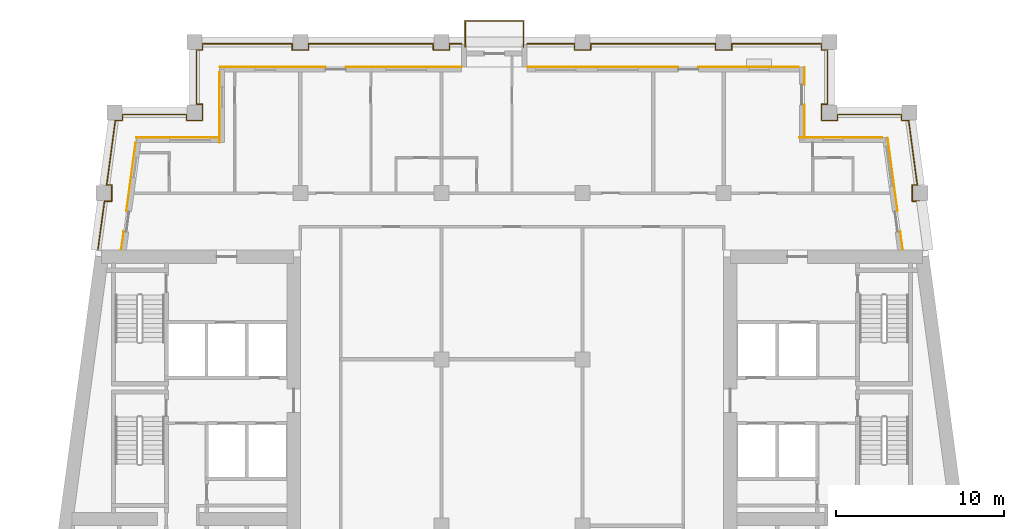
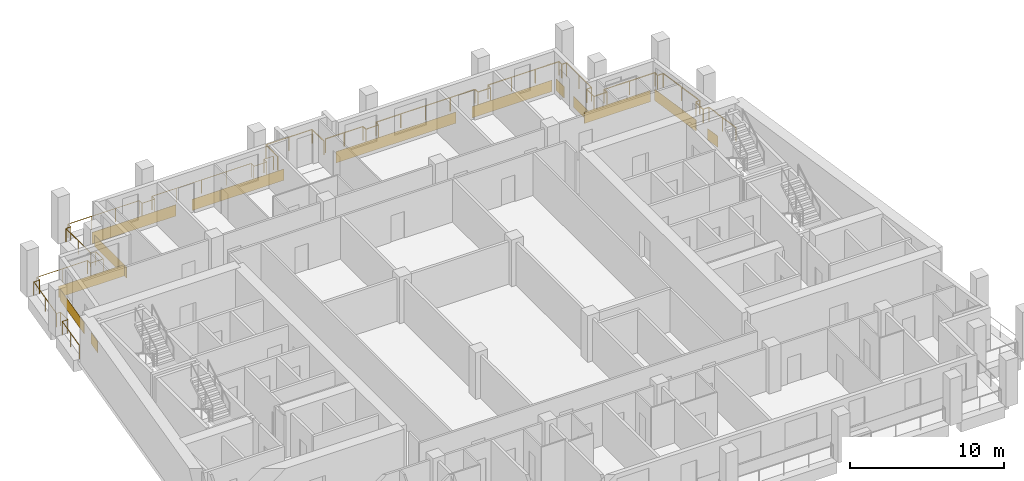
# One storey, part 12 of 13: 14 coverings, 3 railings.
"""IFC4 building model written with IfcOpenShell, lengths in metres."""

from ifc_helpers import new_model, si_unit, direction, frame, origin, origin_2d, place, context, subcontext, project, spatial, rectangle, circle, extrude, material, layer, layer_set, type_object, element, save


model = new_model("IFC4")

# Units and contexts
model_context = context("Model", 3, precision=1e-05, world=origin(), true_north=direction((0.0, 1.0)))
body_context = subcontext(model_context, "Body", "Model", "MODEL_VIEW")
ifc_project = project(units=[si_unit("LENGTHUNIT", "METRE"), si_unit("AREAUNIT", "SQUARE_METRE"), si_unit("VOLUMEUNIT", "CUBIC_METRE"), si_unit("PLANEANGLEUNIT", "RADIAN"), si_unit("MASSUNIT", "GRAM", prefix="KILO")], contexts=[model_context])

# Site, building, storey
site_placement = place(None, origin())
site = spatial("IfcSite", under=ifc_project, at=site_placement, CompositionType="ELEMENT")
building_placement = place(site_placement, origin())
building = spatial("IfcBuilding", under=site, at=building_placement, Name="Candeia Pilgrim Tower and Theatre", CompositionType="ELEMENT")
storey_placement = place(building_placement, frame((0.0, 0.0, 239.199951171875)))
storey = spatial("IfcBuildingStorey", under=building, at=storey_placement, Name="L58", CompositionType="ELEMENT", Elevation=239.199951171875)

# Railings
ifc_material_1 = material(Name="Stainless steel balustrade", Category="steel")
railing_type = type_object("IfcRailingType", Name="G1 loggia guard 1100", PredefinedType="GUARDRAIL", material=ifc_material_1)
railing_1_placement = place(storey_placement, frame((88.758544921875, 132.449951171875, 0.0)))
element("IfcRailing", 1, at=railing_1_placement, inside=storey, type_object=railing_type, Name="Guard L58.2", PredefinedType="GUARDRAIL", context=body_context, shape_type="SweptSolid", body=[
    extrude(circle(Radius=0.02392578125, at=origin_2d()), frame((0.0, 0.0, 1.076171875), z_axis=(0.133450228179, 0.991055516406, 0.0), x_axis=(-0.991055516406, 0.133450228179, 0.0)), (0.0, 0.0, 1.0), 2.89599609375),
    extrude(circle(Radius=0.02392578125, at=origin_2d()), frame((0.386474609375, 2.8701171875, 1.076171875), z_axis=(1.0, 0.0, 0.0), x_axis=(0.0, 1.0, 0.0)), (0.0, 0.0, 1.0), 0.42333984375),
    extrude(circle(Radius=0.02392578125, at=origin_2d()), frame((0.809814453125, 2.8701171875, 1.076171875), z_axis=(0.0, 1.0, 0.0), x_axis=(-1.0, 0.0, 0.0)), (0.0, 0.0, 1.0), 0.9599609375),
    extrude(circle(Radius=0.02392578125, at=origin_2d()), frame((0.809814453125, 3.830078125, 1.076171875), z_axis=(-1.0, 0.0, 0.0), x_axis=(0.0, -1.0, 0.0)), (0.0, 0.0, 1.0), 0.294189453125),
    extrude(circle(Radius=0.02392578125, at=origin_2d()), frame((0.515625, 3.830078125, 1.076171875), z_axis=(0.133389399471, 0.991063705374, 0.0), x_axis=(-0.991063705374, 0.133389399471, 0.0)), (0.0, 0.0, 1.0), 3.874755859375),
    extrude(circle(Radius=0.02392578125, at=origin_2d()), frame((1.032470703125, 7.670166015625, 1.076171875), z_axis=(1.0, 0.0, 0.0), x_axis=(0.0, 1.0, 0.0)), (0.0, 0.0, 1.0), 0.423583984375),
    extrude(circle(Radius=0.02392578125, at=origin_2d()), frame((1.4560546875, 7.670166015625, 1.076171875), z_axis=(0.0, 1.0, 0.0), x_axis=(-1.0, 0.0, 0.0)), (0.0, 0.0, 1.0), 0.35986328125),
    extrude(circle(Radius=0.02392578125, at=origin_2d()), frame((1.4560546875, 8.030029296875, 1.076171875), z_axis=(1.0, 0.0, 0.0), x_axis=(0.0, 1.0, 0.0)), (0.0, 0.0, 1.0), 3.805419921875),
    extrude(circle(Radius=0.02392578125, at=origin_2d()), frame((5.261474609375, 8.030029296875, 1.076171875), z_axis=(0.0, -1.0, 0.0), x_axis=(1.0, 0.0, 0.0)), (0.0, 0.0, 1.0), 0.35986328125),
    extrude(circle(Radius=0.02392578125, at=origin_2d()), frame((5.261474609375, 7.670166015625, 1.076171875), z_axis=(1.0, 0.0, 0.0), x_axis=(0.0, 1.0, 0.0)), (0.0, 0.0, 1.0), 0.9599609375),
    extrude(circle(Radius=0.02392578125, at=origin_2d()), frame((6.221435546875, 7.670166015625, 1.076171875), z_axis=(0.0, 1.0, 0.0), x_axis=(-1.0, 0.0, 0.0)), (0.0, 0.0, 1.0), 0.9599609375),
    extrude(circle(Radius=0.02392578125, at=origin_2d()), frame((6.221435546875, 8.630126953125, 1.076171875), z_axis=(-1.0, 0.0, 0.0), x_axis=(0.0, -1.0, 0.0)), (0.0, 0.0, 1.0), 0.35986328125),
    extrude(circle(Radius=0.02392578125, at=origin_2d()), frame((5.861572265625, 8.630126953125, 1.076171875), z_axis=(0.0, 1.0, 0.0), x_axis=(-1.0, 0.0, 0.0)), (0.0, 0.0, 1.0), 3.239990234375),
    extrude(circle(Radius=0.02392578125, at=origin_2d()), frame((5.861572265625, 11.8701171875, 1.076171875), z_axis=(1.0, 0.0, 0.0), x_axis=(0.0, 1.0, 0.0)), (0.0, 0.0, 1.0), 0.35986328125),
    extrude(circle(Radius=0.02392578125, at=origin_2d()), frame((6.221435546875, 11.8701171875, 1.076171875), z_axis=(0.0, 1.0, 0.0), x_axis=(-1.0, 0.0, 0.0)), (0.0, 0.0, 1.0), 0.35986328125),
    extrude(circle(Radius=0.02392578125, at=origin_2d()), frame((6.221435546875, 12.22998046875, 1.076171875), z_axis=(1.0, 0.0, 0.0), x_axis=(0.0, 1.0, 0.0)), (0.0, 0.0, 1.0), 5.340087890625),
    extrude(circle(Radius=0.02392578125, at=origin_2d()), frame((11.5615234375, 12.22998046875, 1.076171875), z_axis=(0.0, -1.0, 0.0), x_axis=(1.0, 0.0, 0.0)), (0.0, 0.0, 1.0), 0.35986328125),
    extrude(circle(Radius=0.02392578125, at=origin_2d()), frame((11.5615234375, 11.8701171875, 1.076171875), z_axis=(1.0, 0.0, 0.0), x_axis=(0.0, 1.0, 0.0)), (0.0, 0.0, 1.0), 0.9599609375),
    extrude(circle(Radius=0.02392578125, at=origin_2d()), frame((12.521484375, 11.8701171875, 1.076171875), z_axis=(0.0, 1.0, 0.0), x_axis=(-1.0, 0.0, 0.0)), (0.0, 0.0, 1.0), 0.35986328125),
    extrude(circle(Radius=0.02392578125, at=origin_2d()), frame((12.521484375, 12.22998046875, 1.076171875), z_axis=(1.0, 0.0, 0.0), x_axis=(0.0, 1.0, 0.0)), (0.0, 0.0, 1.0), 7.43994140625),
    extrude(circle(Radius=0.02392578125, at=origin_2d()), frame((19.96142578125, 12.22998046875, 1.076171875), z_axis=(0.0, -1.0, 0.0), x_axis=(1.0, 0.0, 0.0)), (0.0, 0.0, 1.0), 0.35986328125),
    extrude(circle(Radius=0.02392578125, at=origin_2d()), frame((19.96142578125, 11.8701171875, 1.076171875), z_axis=(1.0, 0.0, 0.0), x_axis=(0.0, 1.0, 0.0)), (0.0, 0.0, 1.0), 0.9599609375),
    extrude(circle(Radius=0.02392578125, at=origin_2d()), frame((20.92138671875, 11.8701171875, 1.076171875), z_axis=(0.0, 1.0, 0.0), x_axis=(-1.0, 0.0, 0.0)), (0.0, 0.0, 1.0), 0.35986328125),
    extrude(circle(Radius=0.02392578125, at=origin_2d()), frame((20.92138671875, 12.22998046875, 1.076171875), z_axis=(1.0, 0.0, 0.0), x_axis=(0.0, 1.0, 0.0)), (0.0, 0.0, 1.0), 0.719970703125),
    extrude(circle(Radius=0.02099609375, at=origin_2d()), origin(), (0.0, 0.0, 1.0), 1.052001953125),
    extrude(circle(Radius=0.02099609375, at=origin_2d()), frame((0.193359375, 1.43505859375, 0.0)), (0.0, 0.0, 1.0), 1.052001953125),
    extrude(circle(Radius=0.02099609375, at=origin_2d()), frame((0.386474609375, 2.8701171875, 0.0)), (0.0, 0.0, 1.0), 1.052001953125),
    extrude(circle(Radius=0.02099609375, at=origin_2d()), frame((0.809814453125, 2.8701171875, 0.0)), (0.0, 0.0, 1.0), 1.052001953125),
    extrude(circle(Radius=0.02099609375, at=origin_2d()), frame((0.809814453125, 3.830078125, 0.0)), (0.0, 0.0, 1.0), 1.052001953125),
    extrude(circle(Radius=0.02099609375, at=origin_2d()), frame((0.515625, 3.830078125, 0.0)), (0.0, 0.0, 1.0), 1.052001953125),
    extrude(circle(Radius=0.02099609375, at=origin_2d()), frame((0.77392578125, 5.75, 0.0)), (0.0, 0.0, 1.0), 1.052001953125),
    extrude(circle(Radius=0.02099609375, at=origin_2d()), frame((1.032470703125, 7.670166015625, 0.0)), (0.0, 0.0, 1.0), 1.052001953125),
    extrude(circle(Radius=0.02099609375, at=origin_2d()), frame((1.4560546875, 7.670166015625, 0.0)), (0.0, 0.0, 1.0), 1.052001953125),
    extrude(circle(Radius=0.02099609375, at=origin_2d()), frame((1.4560546875, 8.030029296875, 0.0)), (0.0, 0.0, 1.0), 1.052001953125),
    extrude(circle(Radius=0.02099609375, at=origin_2d()), frame((3.35888671875, 8.030029296875, 0.0)), (0.0, 0.0, 1.0), 1.052001953125),
    extrude(circle(Radius=0.02099609375, at=origin_2d()), frame((5.261474609375, 8.030029296875, 0.0)), (0.0, 0.0, 1.0), 1.052001953125),
    extrude(circle(Radius=0.02099609375, at=origin_2d()), frame((5.261474609375, 7.670166015625, 0.0)), (0.0, 0.0, 1.0), 1.052001953125),
    extrude(circle(Radius=0.02099609375, at=origin_2d()), frame((6.221435546875, 7.670166015625, 0.0)), (0.0, 0.0, 1.0), 1.052001953125),
    extrude(circle(Radius=0.02099609375, at=origin_2d()), frame((6.221435546875, 8.630126953125, 0.0)), (0.0, 0.0, 1.0), 1.052001953125),
    extrude(circle(Radius=0.02099609375, at=origin_2d()), frame((5.861572265625, 8.630126953125, 0.0)), (0.0, 0.0, 1.0), 1.052001953125),
    extrude(circle(Radius=0.02099609375, at=origin_2d()), frame((5.861572265625, 10.25, 0.0)), (0.0, 0.0, 1.0), 1.052001953125),
    extrude(circle(Radius=0.02099609375, at=origin_2d()), frame((5.861572265625, 11.8701171875, 0.0)), (0.0, 0.0, 1.0), 1.052001953125),
    extrude(circle(Radius=0.02099609375, at=origin_2d()), frame((6.221435546875, 11.8701171875, 0.0)), (0.0, 0.0, 1.0), 1.052001953125),
    extrude(circle(Radius=0.02099609375, at=origin_2d()), frame((6.221435546875, 12.22998046875, 0.0)), (0.0, 0.0, 1.0), 1.052001953125),
    extrude(circle(Radius=0.02099609375, at=origin_2d()), frame((8.00146484375, 12.22998046875, 0.0)), (0.0, 0.0, 1.0), 1.052001953125),
    extrude(circle(Radius=0.02099609375, at=origin_2d()), frame((9.781494140625, 12.22998046875, 0.0)), (0.0, 0.0, 1.0), 1.052001953125),
    extrude(circle(Radius=0.02099609375, at=origin_2d()), frame((11.5615234375, 12.22998046875, 0.0)), (0.0, 0.0, 1.0), 1.052001953125),
    extrude(circle(Radius=0.02099609375, at=origin_2d()), frame((11.5615234375, 11.8701171875, 0.0)), (0.0, 0.0, 1.0), 1.052001953125),
    extrude(circle(Radius=0.02099609375, at=origin_2d()), frame((12.521484375, 11.8701171875, 0.0)), (0.0, 0.0, 1.0), 1.052001953125),
    extrude(circle(Radius=0.02099609375, at=origin_2d()), frame((12.521484375, 12.22998046875, 0.0)), (0.0, 0.0, 1.0), 1.052001953125),
    extrude(circle(Radius=0.02099609375, at=origin_2d()), frame((14.38134765625, 12.22998046875, 0.0)), (0.0, 0.0, 1.0), 1.052001953125),
    extrude(circle(Radius=0.02099609375, at=origin_2d()), frame((16.241455078125, 12.22998046875, 0.0)), (0.0, 0.0, 1.0), 1.052001953125),
    extrude(circle(Radius=0.02099609375, at=origin_2d()), frame((18.1015625, 12.22998046875, 0.0)), (0.0, 0.0, 1.0), 1.052001953125),
    extrude(circle(Radius=0.02099609375, at=origin_2d()), frame((19.96142578125, 12.22998046875, 0.0)), (0.0, 0.0, 1.0), 1.052001953125),
    extrude(circle(Radius=0.02099609375, at=origin_2d()), frame((19.96142578125, 11.8701171875, 0.0)), (0.0, 0.0, 1.0), 1.052001953125),
    extrude(circle(Radius=0.02099609375, at=origin_2d()), frame((20.92138671875, 11.8701171875, 0.0)), (0.0, 0.0, 1.0), 1.052001953125),
    extrude(circle(Radius=0.02099609375, at=origin_2d()), frame((20.92138671875, 12.22998046875, 0.0)), (0.0, 0.0, 1.0), 1.052001953125),
    extrude(circle(Radius=0.02099609375, at=origin_2d()), frame((21.641357421875, 12.22998046875, 0.0)), (0.0, 0.0, 1.0), 1.052001953125),
])
railing_2_placement = place(storey_placement, frame((114.300048828125, 144.679931640625, 0.0)))
element("IfcRailing", 2, at=railing_2_placement, inside=storey, type_object=railing_type, Name="Guard L58.3", PredefinedType="GUARDRAIL", context=body_context, shape_type="SweptSolid", body=[
    extrude(circle(Radius=0.02392578125, at=origin_2d()), frame((0.0, 0.0, 1.076171875), z_axis=(1.0, 0.0, 0.0), x_axis=(0.0, 1.0, 0.0)), (0.0, 0.0, 1.0), 2.820068359375),
    extrude(circle(Radius=0.02392578125, at=origin_2d()), frame((2.820068359375, 0.0, 1.076171875), z_axis=(0.0, -1.0, 0.0), x_axis=(1.0, 0.0, 0.0)), (0.0, 0.0, 1.0), 0.35986328125),
    extrude(circle(Radius=0.02392578125, at=origin_2d()), frame((2.820068359375, -0.35986328125, 1.076171875), z_axis=(1.0, 0.0, 0.0), x_axis=(0.0, 1.0, 0.0)), (0.0, 0.0, 1.0), 0.9599609375),
    extrude(circle(Radius=0.02392578125, at=origin_2d()), frame((3.780029296875, -0.35986328125, 1.076171875), z_axis=(0.0, 1.0, 0.0), x_axis=(-1.0, 0.0, 0.0)), (0.0, 0.0, 1.0), 0.35986328125),
    extrude(circle(Radius=0.02392578125, at=origin_2d()), frame((3.780029296875, 0.0, 1.076171875), z_axis=(1.0, 0.0, 0.0), x_axis=(0.0, 1.0, 0.0)), (0.0, 0.0, 1.0), 7.43994140625),
    extrude(circle(Radius=0.02392578125, at=origin_2d()), frame((11.219970703125, 0.0, 1.076171875), z_axis=(0.0, -1.0, 0.0), x_axis=(1.0, 0.0, 0.0)), (0.0, 0.0, 1.0), 0.35986328125),
    extrude(circle(Radius=0.02392578125, at=origin_2d()), frame((11.219970703125, -0.35986328125, 1.076171875), z_axis=(1.0, 0.0, 0.0), x_axis=(0.0, 1.0, 0.0)), (0.0, 0.0, 1.0), 0.9599609375),
    extrude(circle(Radius=0.02392578125, at=origin_2d()), frame((12.179931640625, -0.35986328125, 1.076171875), z_axis=(0.0, 1.0, 0.0), x_axis=(-1.0, 0.0, 0.0)), (0.0, 0.0, 1.0), 0.35986328125),
    extrude(circle(Radius=0.02392578125, at=origin_2d()), frame((12.179931640625, 0.0, 1.076171875), z_axis=(1.0, 0.0, 0.0), x_axis=(0.0, 1.0, 0.0)), (0.0, 0.0, 1.0), 5.340087890625),
    extrude(circle(Radius=0.02392578125, at=origin_2d()), frame((17.52001953125, 0.0, 1.076171875), z_axis=(0.0, -1.0, 0.0), x_axis=(1.0, 0.0, 0.0)), (0.0, 0.0, 1.0), 0.35986328125),
    extrude(circle(Radius=0.02392578125, at=origin_2d()), frame((17.52001953125, -0.35986328125, 1.076171875), z_axis=(1.0, 0.0, 0.0), x_axis=(0.0, 1.0, 0.0)), (0.0, 0.0, 1.0), 0.35986328125),
    extrude(circle(Radius=0.02392578125, at=origin_2d()), frame((17.8798828125, -0.35986328125, 1.076171875), z_axis=(0.0, -1.0, 0.0), x_axis=(1.0, 0.0, 0.0)), (0.0, 0.0, 1.0), 3.239990234375),
    extrude(circle(Radius=0.02392578125, at=origin_2d()), frame((17.8798828125, -3.599853515625, 1.076171875), z_axis=(-1.0, 0.0, 0.0), x_axis=(0.0, -1.0, 0.0)), (0.0, 0.0, 1.0), 0.35986328125),
    extrude(circle(Radius=0.02392578125, at=origin_2d()), frame((17.52001953125, -3.599853515625, 1.076171875), z_axis=(0.0, -1.0, 0.0), x_axis=(1.0, 0.0, 0.0)), (0.0, 0.0, 1.0), 0.9599609375),
    extrude(circle(Radius=0.02392578125, at=origin_2d()), frame((17.52001953125, -4.559814453125, 1.076171875), z_axis=(1.0, 0.0, 0.0), x_axis=(0.0, 1.0, 0.0)), (0.0, 0.0, 1.0), 0.9599609375),
    extrude(circle(Radius=0.02392578125, at=origin_2d()), frame((18.47998046875, -4.559814453125, 1.076171875), z_axis=(0.0, 1.0, 0.0), x_axis=(-1.0, 0.0, 0.0)), (0.0, 0.0, 1.0), 0.35986328125),
    extrude(circle(Radius=0.02392578125, at=origin_2d()), frame((18.47998046875, -4.199951171875, 1.076171875), z_axis=(1.0, 0.0, 0.0), x_axis=(0.0, 1.0, 0.0)), (0.0, 0.0, 1.0), 3.805419921875),
    extrude(circle(Radius=0.02392578125, at=origin_2d()), frame((22.285400390625, -4.199951171875, 1.076171875), z_axis=(0.0, -1.0, 0.0), x_axis=(1.0, 0.0, 0.0)), (0.0, 0.0, 1.0), 0.35986328125),
    extrude(circle(Radius=0.02392578125, at=origin_2d()), frame((22.285400390625, -4.559814453125, 1.076171875), z_axis=(1.0, 0.0, 0.0), x_axis=(0.0, 1.0, 0.0)), (0.0, 0.0, 1.0), 0.423583984375),
    extrude(circle(Radius=0.02392578125, at=origin_2d()), frame((22.708984375, -4.559814453125, 1.076171875), z_axis=(0.133389399471, -0.991063705374, 0.0), x_axis=(0.991063705374, 0.133389399471, 0.0)), (0.0, 0.0, 1.0), 3.874755859375),
    extrude(circle(Radius=0.02392578125, at=origin_2d()), frame((23.225830078125, -8.39990234375, 1.076171875), z_axis=(-1.0, 0.0, 0.0), x_axis=(0.0, -1.0, 0.0)), (0.0, 0.0, 1.0), 0.29443359375),
    extrude(circle(Radius=0.02392578125, at=origin_2d()), frame((22.931396484375, -8.39990234375, 1.076171875), z_axis=(0.0, -1.0, 0.0), x_axis=(1.0, 0.0, 0.0)), (0.0, 0.0, 1.0), 0.9599609375),
    extrude(circle(Radius=0.02392578125, at=origin_2d()), frame((22.931396484375, -9.35986328125, 1.076171875), z_axis=(1.0, 0.0, 0.0), x_axis=(0.0, 1.0, 0.0)), (0.0, 0.0, 1.0), 0.423583984375),
    extrude(circle(Radius=0.02392578125, at=origin_2d()), frame((23.35498046875, -9.35986328125, 1.076171875), z_axis=(0.133450228179, -0.991055516406, 0.0), x_axis=(0.991055516406, 0.133450228179, 0.0)), (0.0, 0.0, 1.0), 2.89599609375),
    extrude(circle(Radius=0.02099609375, at=origin_2d()), origin(), (0.0, 0.0, 1.0), 1.052001953125),
    extrude(circle(Radius=0.02099609375, at=origin_2d()), frame((1.41015625, 0.0, 0.0)), (0.0, 0.0, 1.0), 1.052001953125),
    extrude(circle(Radius=0.02099609375, at=origin_2d()), frame((2.820068359375, 0.0, 0.0)), (0.0, 0.0, 1.0), 1.052001953125),
    extrude(circle(Radius=0.02099609375, at=origin_2d()), frame((2.820068359375, -0.35986328125, 0.0)), (0.0, 0.0, 1.0), 1.052001953125),
    extrude(circle(Radius=0.02099609375, at=origin_2d()), frame((3.780029296875, -0.35986328125, 0.0)), (0.0, 0.0, 1.0), 1.052001953125),
    extrude(circle(Radius=0.02099609375, at=origin_2d()), frame((3.780029296875, 0.0, 0.0)), (0.0, 0.0, 1.0), 1.052001953125),
    extrude(circle(Radius=0.02099609375, at=origin_2d()), frame((5.64013671875, 0.0, 0.0)), (0.0, 0.0, 1.0), 1.052001953125),
    extrude(circle(Radius=0.02099609375, at=origin_2d()), frame((7.5, 0.0, 0.0)), (0.0, 0.0, 1.0), 1.052001953125),
    extrude(circle(Radius=0.02099609375, at=origin_2d()), frame((9.35986328125, 0.0, 0.0)), (0.0, 0.0, 1.0), 1.052001953125),
    extrude(circle(Radius=0.02099609375, at=origin_2d()), frame((11.219970703125, 0.0, 0.0)), (0.0, 0.0, 1.0), 1.052001953125),
    extrude(circle(Radius=0.02099609375, at=origin_2d()), frame((11.219970703125, -0.35986328125, 0.0)), (0.0, 0.0, 1.0), 1.052001953125),
    extrude(circle(Radius=0.02099609375, at=origin_2d()), frame((12.179931640625, -0.35986328125, 0.0)), (0.0, 0.0, 1.0), 1.052001953125),
    extrude(circle(Radius=0.02099609375, at=origin_2d()), frame((12.179931640625, 0.0, 0.0)), (0.0, 0.0, 1.0), 1.052001953125),
    extrude(circle(Radius=0.02099609375, at=origin_2d()), frame((13.9599609375, 0.0, 0.0)), (0.0, 0.0, 1.0), 1.052001953125),
    extrude(circle(Radius=0.02099609375, at=origin_2d()), frame((15.739990234375, 0.0, 0.0)), (0.0, 0.0, 1.0), 1.052001953125),
    extrude(circle(Radius=0.02099609375, at=origin_2d()), frame((17.52001953125, 0.0, 0.0)), (0.0, 0.0, 1.0), 1.052001953125),
    extrude(circle(Radius=0.02099609375, at=origin_2d()), frame((17.52001953125, -0.35986328125, 0.0)), (0.0, 0.0, 1.0), 1.052001953125),
    extrude(circle(Radius=0.02099609375, at=origin_2d()), frame((17.8798828125, -0.35986328125, 0.0)), (0.0, 0.0, 1.0), 1.052001953125),
    extrude(circle(Radius=0.02099609375, at=origin_2d()), frame((17.8798828125, -1.97998046875, 0.0)), (0.0, 0.0, 1.0), 1.052001953125),
    extrude(circle(Radius=0.02099609375, at=origin_2d()), frame((17.8798828125, -3.599853515625, 0.0)), (0.0, 0.0, 1.0), 1.052001953125),
    extrude(circle(Radius=0.02099609375, at=origin_2d()), frame((17.52001953125, -3.599853515625, 0.0)), (0.0, 0.0, 1.0), 1.052001953125),
    extrude(circle(Radius=0.02099609375, at=origin_2d()), frame((17.52001953125, -4.559814453125, 0.0)), (0.0, 0.0, 1.0), 1.052001953125),
    extrude(circle(Radius=0.02099609375, at=origin_2d()), frame((18.47998046875, -4.559814453125, 0.0)), (0.0, 0.0, 1.0), 1.052001953125),
    extrude(circle(Radius=0.02099609375, at=origin_2d()), frame((18.47998046875, -4.199951171875, 0.0)), (0.0, 0.0, 1.0), 1.052001953125),
    extrude(circle(Radius=0.02099609375, at=origin_2d()), frame((20.3828125, -4.199951171875, 0.0)), (0.0, 0.0, 1.0), 1.052001953125),
    extrude(circle(Radius=0.02099609375, at=origin_2d()), frame((22.285400390625, -4.199951171875, 0.0)), (0.0, 0.0, 1.0), 1.052001953125),
    extrude(circle(Radius=0.02099609375, at=origin_2d()), frame((22.285400390625, -4.559814453125, 0.0)), (0.0, 0.0, 1.0), 1.052001953125),
    extrude(circle(Radius=0.02099609375, at=origin_2d()), frame((22.708984375, -4.559814453125, 0.0)), (0.0, 0.0, 1.0), 1.052001953125),
    extrude(circle(Radius=0.02099609375, at=origin_2d()), frame((22.96728515625, -6.47998046875, 0.0)), (0.0, 0.0, 1.0), 1.052001953125),
    extrude(circle(Radius=0.02099609375, at=origin_2d()), frame((23.225830078125, -8.39990234375, 0.0)), (0.0, 0.0, 1.0), 1.052001953125),
    extrude(circle(Radius=0.02099609375, at=origin_2d()), frame((22.931396484375, -8.39990234375, 0.0)), (0.0, 0.0, 1.0), 1.052001953125),
    extrude(circle(Radius=0.02099609375, at=origin_2d()), frame((22.931396484375, -9.35986328125, 0.0)), (0.0, 0.0, 1.0), 1.052001953125),
    extrude(circle(Radius=0.02099609375, at=origin_2d()), frame((23.35498046875, -9.35986328125, 0.0)), (0.0, 0.0, 1.0), 1.052001953125),
    extrude(circle(Radius=0.02099609375, at=origin_2d()), frame((23.54833984375, -10.794921875, 0.0)), (0.0, 0.0, 1.0), 1.052001953125),
    extrude(circle(Radius=0.02099609375, at=origin_2d()), frame((23.741455078125, -12.22998046875, 0.0)), (0.0, 0.0, 1.0), 1.052001953125),
])
railing_3_placement = place(storey_placement, frame((110.610107421875, 144.5, 0.0)))
element("IfcRailing", 3, at=railing_3_placement, inside=storey, type_object=railing_type, Name="Balcony guard L58", PredefinedType="GUARDRAIL", context=body_context, shape_type="SweptSolid", body=[
    extrude(circle(Radius=0.02392578125, at=origin_2d()), frame((0.0, 0.0, 1.076171875), z_axis=(0.0, 1.0, 0.0), x_axis=(-1.0, 0.0, 0.0)), (0.0, 0.0, 1.0), 1.5400390625),
    extrude(circle(Radius=0.02392578125, at=origin_2d()), frame((0.0, 1.5400390625, 1.076171875), z_axis=(1.0, 0.0, 0.0), x_axis=(0.0, 1.0, 0.0)), (0.0, 0.0, 1.0), 3.47998046875),
    extrude(circle(Radius=0.02392578125, at=origin_2d()), frame((3.47998046875, 1.5400390625, 1.076171875), z_axis=(0.0, -1.0, 0.0), x_axis=(1.0, 0.0, 0.0)), (0.0, 0.0, 1.0), 1.5400390625),
    extrude(circle(Radius=0.02099609375, at=origin_2d()), origin(), (0.0, 0.0, 1.0), 1.052001953125),
    extrude(circle(Radius=0.02099609375, at=origin_2d()), frame((0.0, 1.5400390625, 0.0)), (0.0, 0.0, 1.0), 1.052001953125),
    extrude(circle(Radius=0.02099609375, at=origin_2d()), frame((1.739990234375, 1.5400390625, 0.0)), (0.0, 0.0, 1.0), 1.052001953125),
    extrude(circle(Radius=0.02099609375, at=origin_2d()), frame((3.47998046875, 1.5400390625, 0.0)), (0.0, 0.0, 1.0), 1.052001953125),
    extrude(circle(Radius=0.02099609375, at=origin_2d()), frame((3.47998046875, 0.0, 0.0)), (0.0, 0.0, 1.0), 1.052001953125),
])

# Coverings
ifc_material_2 = material(Name="Glazed ceramic tile bottle green")
ifc_layer_1 = layer(ifc_material_2, 0.02001953125)
ifc_layer_set_1 = layer_set([ifc_layer_1], Name="Glazed ceramic tile bottle green")
covering_type_1 = type_object("IfcCoveringType", Name="Glazed ceramic tile bottle green", PredefinedType="CLADDING", material=ifc_layer_set_1)
covering_1_placement = place(storey_placement, frame((136.588623046875, 132.97412109375, 0.0), z_axis=(0.0, 0.0, 1.0), x_axis=(-0.133412012145, 0.991060661622, 0.0)))
element("IfcCovering", 4, at=covering_1_placement, inside=storey, type_object=covering_type_1, Name="Tile cladding bottle green L58", PredefinedType="CLADDING", context=body_context, shape_type="SweptSolid", body=[
    extrude(rectangle(XDim=1.115234375, YDim=0.02001953125, at=origin_2d()), origin(), (0.0, 0.0, 1.0), 0.89990234375),
])
covering_2_placement = place(storey_placement, frame((136.058837890625, 136.90869140625, 0.0), z_axis=(0.0, 0.0, 1.0), x_axis=(-0.133412012145, 0.991060661622, 0.0)))
element("IfcCovering", 5, at=covering_2_placement, inside=storey, type_object=covering_type_1, Name="Tile cladding bottle green L58", PredefinedType="CLADDING", context=body_context, shape_type="SweptSolid", body=[
    extrude(rectangle(XDim=4.4248046875, YDim=0.02001953125, at=origin_2d()), origin(), (0.0, 0.0, 1.0), 0.89990234375),
])
covering_3_placement = place(storey_placement, frame((132.976318359375, 139.110107421875, 0.0), z_axis=(0.0, 0.0, 1.0), x_axis=(-1.0, 0.0, 0.0)))
element("IfcCovering", 6, at=covering_3_placement, inside=storey, type_object=covering_type_1, Name="Tile cladding bottle green L58", PredefinedType="CLADDING", context=body_context, shape_type="SweptSolid", body=[
    extrude(rectangle(XDim=4.95263671875, YDim=0.02001953125, at=origin_2d()), origin(), (0.0, 0.0, 1.0), 0.89990234375),
])
covering_4_placement = place(storey_placement, frame((130.81005859375, 140.0849609375, 0.0), z_axis=(0.0, 0.0, 1.0), x_axis=(0.0, 1.0, 0.0)))
element("IfcCovering", 7, at=covering_4_placement, inside=storey, type_object=covering_type_1, Name="Tile cladding bottle green L58", PredefinedType="CLADDING", context=body_context, shape_type="SweptSolid", body=[
    extrude(rectangle(XDim=1.929931640625, YDim=0.02001953125, at=origin_2d()), origin(), (0.0, 0.0, 1.0), 0.89990234375),
])
covering_5_placement = place(storey_placement, frame((130.81005859375, 142.77490234375, 0.0), z_axis=(0.0, 0.0, 1.0), x_axis=(0.0, 1.0, 0.0)))
element("IfcCovering", 8, at=covering_5_placement, inside=storey, type_object=covering_type_1, Name="Tile cladding bottle green L58", PredefinedType="CLADDING", context=body_context, shape_type="SweptSolid", body=[
    extrude(rectangle(XDim=1.050048828125, YDim=0.02001953125, at=origin_2d()), origin(), (0.0, 0.0, 1.0), 0.89990234375),
])
covering_6_placement = place(storey_placement, frame((127.489990234375, 143.31005859375, 0.0), z_axis=(0.0, 0.0, 1.0), x_axis=(-1.0, 0.0, 0.0)))
element("IfcCovering", 9, at=covering_6_placement, inside=storey, type_object=covering_type_1, Name="Tile cladding bottle green L58", PredefinedType="CLADDING", context=body_context, shape_type="SweptSolid", body=[
    extrude(rectangle(XDim=5.97998046875, YDim=0.02001953125, at=origin_2d()), origin(), (0.0, 0.0, 1.0), 0.89990234375),
])
covering_7_placement = place(storey_placement, frame((118.800048828125, 143.31005859375, 0.0), z_axis=(0.0, 0.0, 1.0), x_axis=(-1.0, 0.0, 0.0)))
element("IfcCovering", 10, at=covering_7_placement, inside=storey, type_object=covering_type_1, Name="Tile cladding bottle green L58", PredefinedType="CLADDING", context=body_context, shape_type="SweptSolid", body=[
    extrude(rectangle(XDim=9.0, YDim=0.02001953125, at=origin_2d()), origin(), (0.0, 0.0, 1.0), 0.89990234375),
])
covering_8_placement = place(storey_placement, frame((108.0, 143.31005859375, 0.0), z_axis=(0.0, 0.0, 1.0), x_axis=(-1.0, 0.0, 0.0)))
element("IfcCovering", 11, at=covering_8_placement, inside=storey, type_object=covering_type_1, Name="Tile cladding bottle green L58", PredefinedType="CLADDING", context=body_context, shape_type="SweptSolid", body=[
    extrude(rectangle(XDim=4.800048828125, YDim=0.02001953125, at=origin_2d()), origin(), (0.0, 0.0, 1.0), 0.89990234375),
])
covering_9_placement = place(storey_placement, frame((95.989990234375, 140.889892578125, 0.0), z_axis=(0.0, 0.0, 1.0), x_axis=(0.0, -1.0, 0.0)))
element("IfcCovering", 12, at=covering_9_placement, inside=storey, type_object=covering_type_1, Name="Tile cladding bottle green L58", PredefinedType="CLADDING", context=body_context, shape_type="SweptSolid", body=[
    extrude(rectangle(XDim=4.179931640625, YDim=0.02001953125, at=origin_2d()), origin(), (0.0, 0.0, 1.0), 0.89990234375),
])
covering_10_placement = place(storey_placement, frame((90.720947265625, 136.759521484375, 0.0), z_axis=(0.0, 0.0, 1.0), x_axis=(-0.133412012145, -0.991060661622, 0.0)))
element("IfcCovering", 13, at=covering_10_placement, inside=storey, type_object=covering_type_1, Name="Tile cladding bottle green L58", PredefinedType="CLADDING", context=body_context, shape_type="SweptSolid", body=[
    extrude(rectangle(XDim=4.123779296875, YDim=0.02001953125, at=origin_2d()), origin(), (0.0, 0.0, 1.0), 0.89990234375),
])
covering_11_placement = place(storey_placement, frame((90.21142578125, 132.97412109375, 0.0), z_axis=(0.0, 0.0, 1.0), x_axis=(-0.133412012145, -0.991060661622, 0.0)))
element("IfcCovering", 14, at=covering_11_placement, inside=storey, type_object=covering_type_1, Name="Tile cladding bottle green L58", PredefinedType="CLADDING", context=body_context, shape_type="SweptSolid", body=[
    extrude(rectangle(XDim=1.115234375, YDim=0.02001953125, at=origin_2d()), origin(), (0.0, 0.0, 1.0), 0.89990234375),
])
ifc_material_3 = material(Name="Glazed ceramic tile rust")
ifc_layer_2 = layer(ifc_material_3, 0.02001953125)
ifc_layer_set_2 = layer_set([ifc_layer_2], Name="Glazed ceramic tile rust")
covering_type_2 = type_object("IfcCoveringType", Name="Glazed ceramic tile rust", PredefinedType="CLADDING", material=ifc_layer_set_2)
covering_12_placement = place(storey_placement, frame((104.550048828125, 143.31005859375, 0.0), z_axis=(0.0, 0.0, 1.0), x_axis=(-1.0, 0.0, 0.0)))
element("IfcCovering", 15, at=covering_12_placement, inside=storey, type_object=covering_type_2, Name="Tile cladding rust L58", PredefinedType="CLADDING", context=body_context, shape_type="SweptSolid", body=[
    extrude(rectangle(XDim=2.10009765625, YDim=0.02001953125, at=origin_2d()), origin(), (0.0, 0.0, 1.0), 0.89990234375),
])
covering_13_placement = place(storey_placement, frame((99.14990234375, 143.31005859375, 0.0), z_axis=(0.0, 0.0, 1.0), x_axis=(-1.0, 0.0, 0.0)))
element("IfcCovering", 16, at=covering_13_placement, inside=storey, type_object=covering_type_2, Name="Tile cladding rust L58", PredefinedType="CLADDING", context=body_context, shape_type="SweptSolid", body=[
    extrude(rectangle(XDim=6.300048828125, YDim=0.02001953125, at=origin_2d()), origin(), (0.0, 0.0, 1.0), 0.89990234375),
])
covering_14_placement = place(storey_placement, frame((93.51318359375, 139.110107421875, 0.0), z_axis=(0.0, 0.0, 1.0), x_axis=(-1.0, 0.0, 0.0)))
element("IfcCovering", 17, at=covering_14_placement, inside=storey, type_object=covering_type_2, Name="Tile cladding rust L58", PredefinedType="CLADDING", context=body_context, shape_type="SweptSolid", body=[
    extrude(rectangle(XDim=4.933837890625, YDim=0.02001953125, at=origin_2d()), origin(), (0.0, 0.0, 1.0), 0.89990234375),
])

save(model, "model.ifc")
